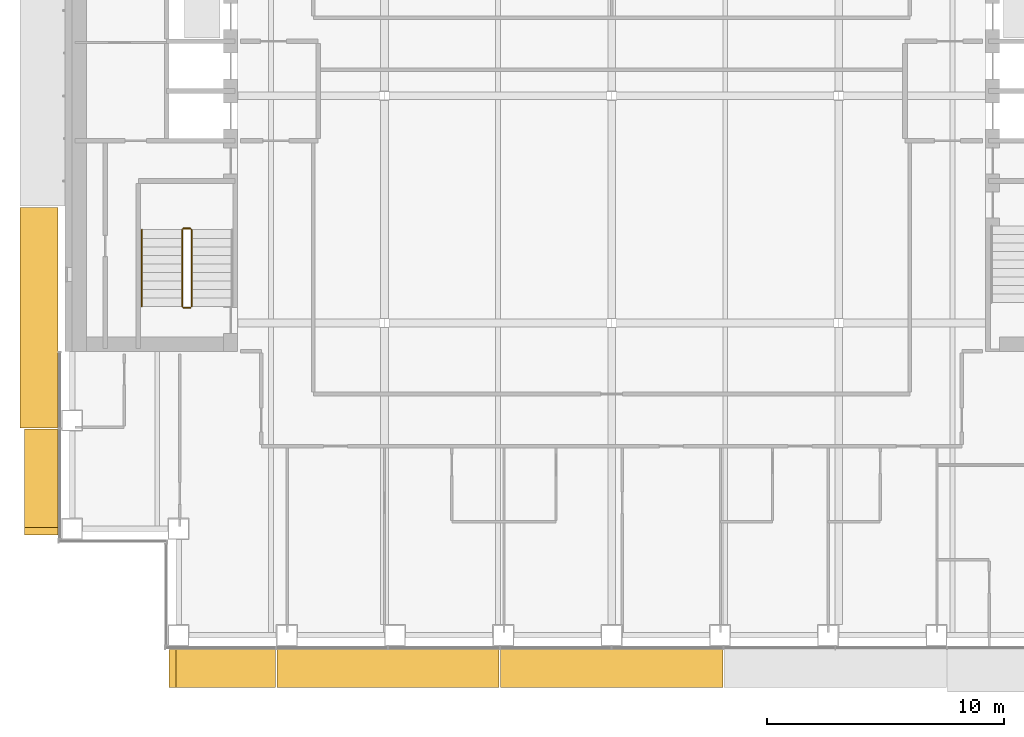
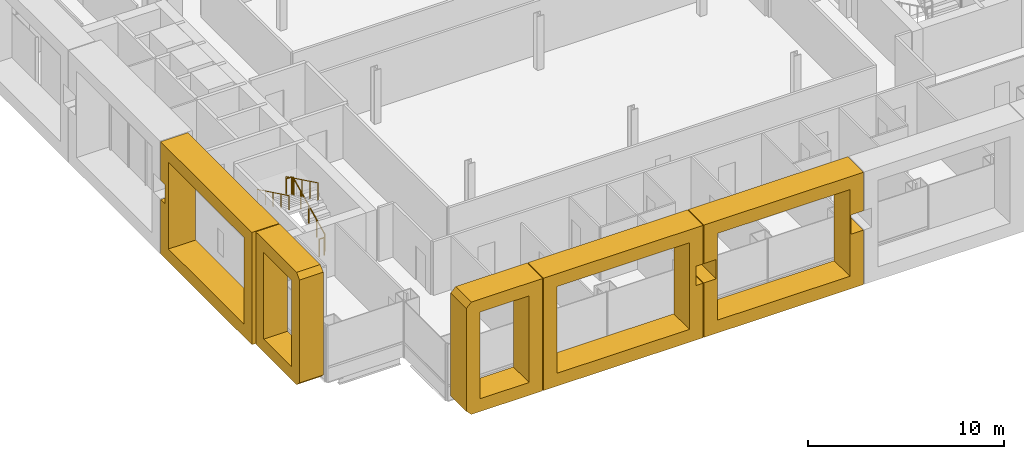
# One storey, part 14 of 19: 5 coverings, 5 railings.
"""IFC4 building model written with IfcOpenShell, lengths in metres."""

from ifc_helpers import new_model, si_unit, direction, frame, origin, origin_2d, place, context, subcontext, project, spatial, polyline, circle, outline, extrude, material, type_object, element, save


model = new_model("IFC4")

# Units and contexts
model_context = context("Model", 3, precision=1e-05, world=origin(), true_north=direction((0.0, 1.0)))
body_context = subcontext(model_context, "Body", "Model", "MODEL_VIEW")
ifc_project = project(units=[si_unit("LENGTHUNIT", "METRE"), si_unit("AREAUNIT", "SQUARE_METRE"), si_unit("VOLUMEUNIT", "CUBIC_METRE"), si_unit("PLANEANGLEUNIT", "RADIAN"), si_unit("MASSUNIT", "GRAM", prefix="KILO")], contexts=[model_context])

# Site, building, storey
site_placement = place(None, origin())
site = spatial("IfcSite", under=ifc_project, at=site_placement, CompositionType="ELEMENT")
building_placement = place(site_placement, origin())
building = spatial("IfcBuilding", under=site, at=building_placement, Name="Cobrizo Arcos Hotel Tower", CompositionType="ELEMENT")
storey_placement = place(building_placement, frame((0.0, 0.0, 103.0)))
storey = spatial("IfcBuildingStorey", under=building, at=storey_placement, Name="L25", CompositionType="ELEMENT", Elevation=103.0)

# Coverings
ifc_material_1 = material(Name="Aluminium 6063-T6 anodised bronze", Category="aluminium")
covering_type_1 = type_object("IfcCoveringType", Name="FIN-F 1400", PredefinedType="CLADDING", material=ifc_material_1)
covering_1_placement = place(storey_placement, frame((-23.39990234375, -14.08740234375, 0.0), z_axis=(-1.0, 0.0, 0.0), x_axis=(0.0, -1.0, 0.0)))
element("IfcCovering", 1, at=covering_1_placement, inside=storey, type_object=covering_type_1, Name="Fin frame 158", PredefinedType="CLADDING", context=body_context, shape_type="SweptSolid", body=[
    extrude(outline(polyline([(0.0, 7.0), (0.0, 0.0), (4.16259765625, 0.0), (4.46240234375, 0.300048828125), (4.46240234375, 6.699951171875), (4.16259765625, 7.0), (0.0, 7.0)]), holes=[polyline([(3.66259765625, 0.800048828125), (0.800048828125, 0.800048828125), (0.800048828125, 6.199951171875), (3.66259765625, 6.199951171875), (3.66259765625, 0.800048828125)])]), origin(), (0.0, 0.0, 1.0), 1.400146484375),
])
covering_type_2 = type_object("IfcCoveringType", Name="FIN-F 1600", PredefinedType="CLADDING", material=ifc_material_1)
covering_2_placement = place(storey_placement, frame((-18.699951171875, -23.39990234375, 0.0), z_axis=(0.0, -1.0, 0.0), x_axis=(1.0, 0.0, 0.0)))
element("IfcCovering", 2, at=covering_2_placement, inside=storey, type_object=covering_type_2, Name="Fin frame 133", PredefinedType="CLADDING", context=body_context, shape_type="SweptSolid", body=[
    extrude(outline(polyline([(0.0, 0.300048828125), (0.300048828125, 0.0), (4.5, 0.0), (4.5, 7.0), (0.300048828125, 7.0), (0.0, 6.699951171875), (0.0, 0.300048828125)]), holes=[polyline([(3.699951171875, 0.800048828125), (0.800048828125, 0.800048828125), (0.800048828125, 6.199951171875), (3.699951171875, 6.199951171875), (3.699951171875, 0.800048828125)])]), origin(), (0.0, 0.0, 1.0), 1.60009765625),
])
covering_3_placement = place(storey_placement, frame((-14.14990234375, -23.39990234375, 0.0), z_axis=(0.0, -1.0, 0.0), x_axis=(1.0, 0.0, 0.0)))
element("IfcCovering", 3, at=covering_3_placement, inside=storey, type_object=covering_type_2, Name="Fin frame 134", PredefinedType="CLADDING", context=body_context, shape_type="SweptSolid", body=[
    extrude(outline(polyline([(9.39990234375, 0.0), (9.39990234375, 3.39794921875), (8.972900390625, 3.39794921875), (8.972900390625, 4.60205078125), (9.39990234375, 4.60205078125), (9.39990234375, 7.0), (0.0, 7.0), (0.0, 0.0), (9.39990234375, 0.0)]), holes=[polyline([(8.60009765625, 0.800048828125), (0.800048828125, 0.800048828125), (0.800048828125, 6.199951171875), (8.60009765625, 6.199951171875), (8.60009765625, 0.800048828125)])]), origin(), (0.0, 0.0, 1.0), 1.60009765625),
])
covering_4_placement = place(storey_placement, frame((-4.699951171875, -23.39990234375, 0.0), z_axis=(0.0, -1.0, 0.0), x_axis=(1.0, 0.0, 0.0)))
element("IfcCovering", 4, at=covering_4_placement, inside=storey, type_object=covering_type_2, Name="Fin frame 135", PredefinedType="CLADDING", context=body_context, shape_type="SweptSolid", body=[
    extrude(outline(polyline([(9.39990234375, 0.0), (9.39990234375, 3.39794921875), (8.673095703125, 3.39794921875), (8.673095703125, 4.60205078125), (9.39990234375, 4.60205078125), (9.39990234375, 7.0), (0.0, 7.0), (0.0, 4.60205078125), (0.72705078125, 4.60205078125), (0.72705078125, 3.39794921875), (0.0, 3.39794921875), (0.0, 0.0), (9.39990234375, 0.0)]), holes=[polyline([(8.60009765625, 0.800048828125), (0.800048828125, 0.800048828125), (0.800048828125, 6.199951171875), (8.60009765625, 6.199951171875), (8.60009765625, 0.800048828125)])]), origin(), (0.0, 0.0, 1.0), 1.60009765625),
])
covering_5_placement = place(storey_placement, frame((-23.39990234375, -4.71240234375, 0.0), z_axis=(-1.0, 0.0, 0.0), x_axis=(0.0, -1.0, 0.0)))
element("IfcCovering", 5, at=covering_5_placement, inside=storey, type_object=covering_type_2, Name="Fin frame 157", PredefinedType="CLADDING", context=body_context, shape_type="SweptSolid", body=[
    extrude(outline(polyline([(0.0, 7.0), (0.0, 4.60205078125), (0.464599609375, 4.60205078125), (0.464599609375, 3.39794921875), (0.0, 3.39794921875), (0.0, 0.0), (9.324951171875, 0.0), (9.324951171875, 7.0), (0.0, 7.0)]), holes=[polyline([(8.52490234375, 0.800048828125), (0.800048828125, 0.800048828125), (0.800048828125, 6.199951171875), (8.52490234375, 6.199951171875), (8.52490234375, 0.800048828125)])]), origin(), (0.0, 0.0, 1.0), 1.60009765625),
])

# Railings
ifc_material_2 = material(Name="Stainless steel railing", Category="steel")
railing_type_1 = type_object("IfcRailingType", Name="Stair guard 1100", PredefinedType="GUARDRAIL", material=ifc_material_2)
railing_1_placement = place(storey_placement, frame((-17.75, -8.89990234375, 0.175048828125)))
element("IfcRailing", 6, at=railing_1_placement, inside=storey, type_object=railing_type_1, Name="L25 ST-W stair guard 1", PredefinedType="GUARDRAIL", context=body_context, shape_type="SweptSolid", body=[
    extrude(circle(Radius=0.02392578125, at=origin_2d()), frame((0.0, 0.0, 1.076171875), z_axis=(0.0, 0.899372665325, 0.437182809435), x_axis=(-1.0, 0.0, 0.0)), (0.0, 0.0, 1.0), 3.6025390625),
    extrude(circle(Radius=0.02099609375, at=origin_2d()), origin(), (0.0, 0.0, 1.0), 1.052001953125),
    extrude(circle(Radius=0.02099609375, at=origin_2d()), frame((0.0, 0.81005859375, 0.393798828125)), (0.0, 0.0, 1.0), 1.052001953125),
    extrude(circle(Radius=0.02099609375, at=origin_2d()), frame((0.0, 1.6201171875, 0.78759765625)), (0.0, 0.0, 1.0), 1.052001953125),
    extrude(circle(Radius=0.02099609375, at=origin_2d()), frame((0.0, 2.429931640625, 1.18115234375)), (0.0, 0.0, 1.0), 1.052001953125),
    extrude(circle(Radius=0.02099609375, at=origin_2d()), frame((0.0, 3.239990234375, 1.574951171875)), (0.0, 0.0, 1.0), 1.052001953125),
])
railing_2_placement = place(storey_placement, frame((-17.800048828125, -5.610107421875, 1.75)))
element("IfcRailing", 7, at=railing_2_placement, inside=storey, type_object=railing_type_1, Name="L25 ST-W stair guard 2", PredefinedType="GUARDRAIL", context=body_context, shape_type="SweptSolid", body=[
    extrude(circle(Radius=0.02392578125, at=origin_2d()), frame((0.0, 0.0, 1.076171875), z_axis=(-1.0, 0.0, 0.0), x_axis=(0.0, -1.0, 0.0)), (0.0, 0.0, 1.0), 0.300048828125),
    extrude(circle(Radius=0.02099609375, at=origin_2d()), origin(), (0.0, 0.0, 1.0), 1.052001953125),
    extrude(circle(Radius=0.02099609375, at=origin_2d()), frame((-0.300048828125, 0.0, 0.0)), (0.0, 0.0, 1.0), 1.052001953125),
])
railing_3_placement = place(storey_placement, frame((-18.14990234375, -5.659912109375, 1.925048828125)))
element("IfcRailing", 8, at=railing_3_placement, inside=storey, type_object=railing_type_1, Name="L25 ST-W stair guard 3", PredefinedType="GUARDRAIL", context=body_context, shape_type="SweptSolid", body=[
    extrude(circle(Radius=0.02392578125, at=origin_2d()), frame((0.0, 0.0, 1.076171875), z_axis=(0.0, -0.899372665325, 0.437182809435), x_axis=(1.0, 0.0, 0.0)), (0.0, 0.0, 1.0), 3.6025390625),
    extrude(circle(Radius=0.02099609375, at=origin_2d()), origin(), (0.0, 0.0, 1.0), 1.052001953125),
    extrude(circle(Radius=0.02099609375, at=origin_2d()), frame((0.0, -0.81005859375, 0.393798828125)), (0.0, 0.0, 1.0), 1.052001953125),
    extrude(circle(Radius=0.02099609375, at=origin_2d()), frame((0.0, -1.6201171875, 0.78759765625)), (0.0, 0.0, 1.0), 1.052001953125),
    extrude(circle(Radius=0.02099609375, at=origin_2d()), frame((0.0, -2.429931640625, 1.18115234375)), (0.0, 0.0, 1.0), 1.052001953125),
    extrude(circle(Radius=0.02099609375, at=origin_2d()), frame((0.0, -3.239990234375, 1.574951171875)), (0.0, 0.0, 1.0), 1.052001953125),
])
railing_4_placement = place(storey_placement, frame((-17.800048828125, -8.949951171875, 0.0)))
element("IfcRailing", 9, at=railing_4_placement, inside=storey, type_object=railing_type_1, Name="L25 ST-W stair guard 4", PredefinedType="GUARDRAIL", context=body_context, shape_type="SweptSolid", body=[
    extrude(circle(Radius=0.02392578125, at=origin_2d()), frame((0.0, 0.0, 1.076171875), z_axis=(-1.0, 0.0, 0.0), x_axis=(0.0, -1.0, 0.0)), (0.0, 0.0, 1.0), 0.300048828125),
    extrude(circle(Radius=0.02099609375, at=origin_2d()), origin(), (0.0, 0.0, 1.0), 1.052001953125),
    extrude(circle(Radius=0.02099609375, at=origin_2d()), frame((-0.300048828125, 0.0, 0.0)), (0.0, 0.0, 1.0), 1.052001953125),
])
railing_type_2 = type_object("IfcRailingType", Name="Stair handrail", PredefinedType="HANDRAIL", material=ifc_material_2)
railing_5_placement = place(storey_placement, frame((-19.85009765625, -5.659912109375, 1.925048828125)))
element("IfcRailing", 10, at=railing_5_placement, inside=storey, type_object=railing_type_2, Name="L25 ST-W stair handrail 2", PredefinedType="HANDRAIL", context=body_context, shape_type="SweptSolid", body=[
    extrude(circle(Radius=0.02392578125, at=origin_2d()), frame((0.0, 0.0, 0.8759765625), z_axis=(0.0, -0.899372665325, 0.437182809435), x_axis=(1.0, 0.0, 0.0)), (0.0, 0.0, 1.0), 3.6025390625),
    extrude(circle(Radius=0.02099609375, at=origin_2d()), origin(), (0.0, 0.0, 1.0), 0.851806640625),
    extrude(circle(Radius=0.02099609375, at=origin_2d()), frame((0.0, -0.81005859375, 0.393798828125)), (0.0, 0.0, 1.0), 0.851806640625),
    extrude(circle(Radius=0.02099609375, at=origin_2d()), frame((0.0, -1.6201171875, 0.78759765625)), (0.0, 0.0, 1.0), 0.851806640625),
    extrude(circle(Radius=0.02099609375, at=origin_2d()), frame((0.0, -2.429931640625, 1.18115234375)), (0.0, 0.0, 1.0), 0.851806640625),
    extrude(circle(Radius=0.02099609375, at=origin_2d()), frame((0.0, -3.239990234375, 1.574951171875)), (0.0, 0.0, 1.0), 0.851806640625),
])

save(model, "model.ifc")
